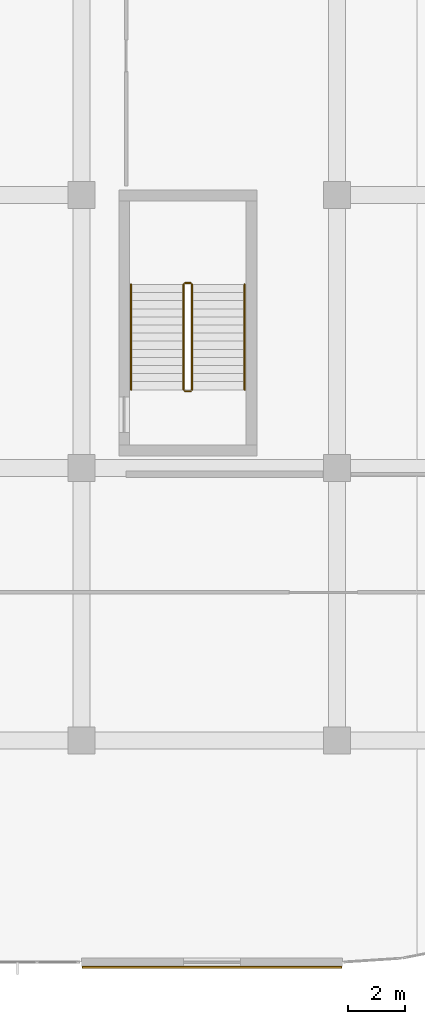
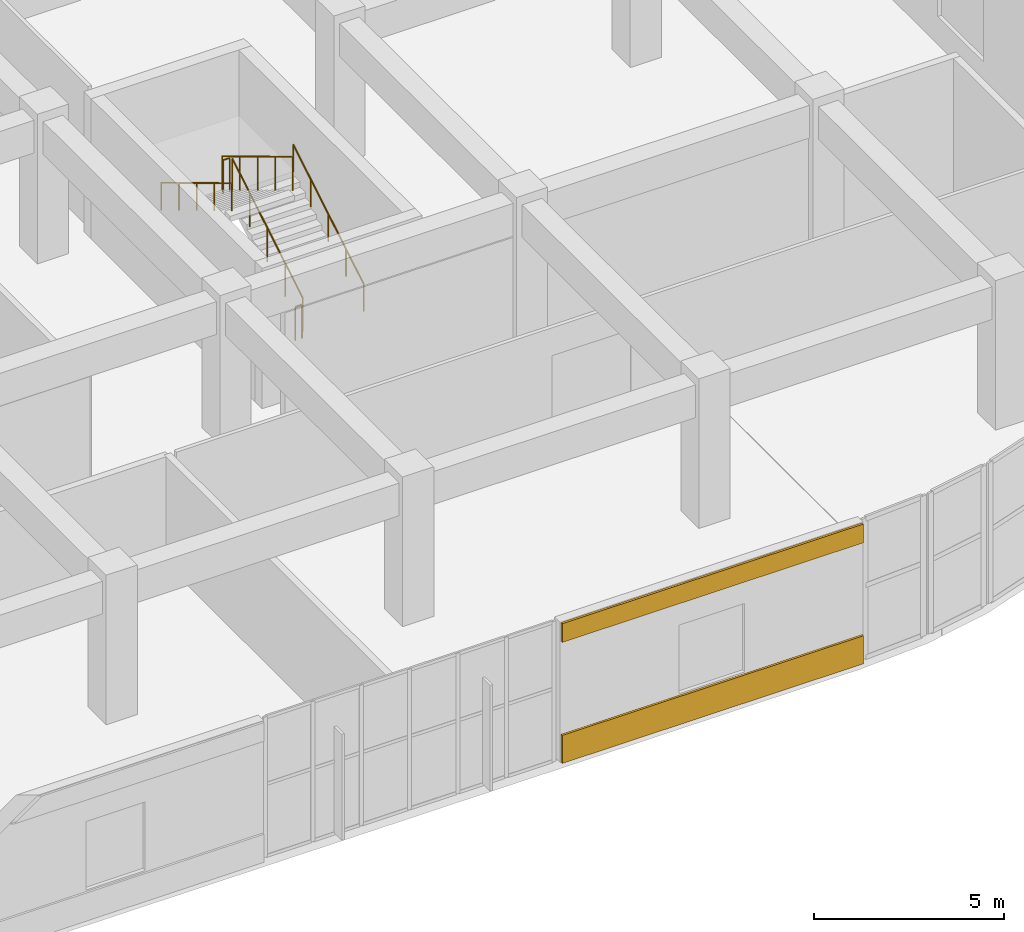
# One storey, part 75 of 86: 6 railings, 2 coverings.
"""IFC4 building model written with IfcOpenShell, lengths in metres."""

from ifc_helpers import new_model, si_unit, direction, frame, origin, origin_2d, place, context, subcontext, project, spatial, rectangle, circle, extrude, material, layer, layer_set, type_object, element, save


model = new_model("IFC4")

# Units and contexts
model_context = context("Model", 3, precision=1e-05, world=origin(), true_north=direction((0.0, 1.0)))
body_context = subcontext(model_context, "Body", "Model", "MODEL_VIEW")
ifc_project = project(units=[si_unit("LENGTHUNIT", "METRE"), si_unit("AREAUNIT", "SQUARE_METRE"), si_unit("VOLUMEUNIT", "CUBIC_METRE"), si_unit("PLANEANGLEUNIT", "RADIAN"), si_unit("MASSUNIT", "GRAM", prefix="KILO")], contexts=[model_context])

# Site, building, storey
site_placement = place(None, origin())
site = spatial("IfcSite", under=ifc_project, at=site_placement, CompositionType="ELEMENT")
building_placement = place(site_placement, origin())
building = spatial("IfcBuilding", under=site, at=building_placement, Name="Cendralis Terraced Arcade", CompositionType="ELEMENT")
storey_placement = place(building_placement, frame((0.0, 0.0, 5.39990234375)))
storey = spatial("IfcBuildingStorey", under=building, at=storey_placement, Name="L01", CompositionType="ELEMENT", Elevation=5.39990234375)

# Coverings
ifc_material_1 = material(Name="Precast concrete f'c 40 MPa", Category="concrete")
ifc_layer = layer(ifc_material_1, 0.06494140625, Name="COV-CLAD-GRC-65")
ifc_layer_set = layer_set([ifc_layer], Name="Precast concrete f'c 40 MPa")
covering_type = type_object("IfcCoveringType", Name="COV-CLAD-GRC-65", PredefinedType="CLADDING", material=ifc_layer_set)
covering_1_placement = place(storey_placement, frame((116.800048828125, 1.625, 0.000244140625), z_axis=(0.0, 0.0, 1.0), x_axis=(-1.0, 0.0, 0.0)))
element("IfcCovering", 1, at=covering_1_placement, inside=storey, type_object=covering_type, Name="Banded Precast Stone Spandrel Cladding L01-171", PredefinedType="CLADDING", context=body_context, shape_type="SweptSolid", body=[
    extrude(rectangle(XDim=9.139892578125, YDim=0.06494140625, at=origin_2d()), origin(), (0.0, 0.0, 1.0), 0.89990234375),
])
covering_2_placement = place(storey_placement, frame((116.800048828125, 1.625, 3.885009765625), z_axis=(0.0, 0.0, 1.0), x_axis=(-1.0, 0.0, 0.0)))
element("IfcCovering", 2, at=covering_2_placement, inside=storey, type_object=covering_type, Name="Banded Precast Stone Lintel Cladding L01-172", PredefinedType="CLADDING", context=body_context, shape_type="SweptSolid", body=[
    extrude(rectangle(XDim=9.139892578125, YDim=0.06494140625, at=origin_2d()), origin(), (0.0, 0.0, 1.0), 0.60009765625),
])

# Railings
ifc_material_2 = material(Name="Brushed stainless steel AISI 316", Category="steel")
railing_type_1 = type_object("IfcRailingType", Name="RL-STAIR-GUARD-1100", PredefinedType="GUARDRAIL", material=ifc_material_2)
railing_1_placement = place(storey_placement, frame((116.10009765625, 21.949951171875, 0.171630859375)))
element("IfcRailing", 3, at=railing_1_placement, inside=storey, type_object=railing_type_1, Name="L01 ST-09 stair guard 1", PredefinedType="GUARDRAIL", context=body_context, shape_type="SweptSolid", body=[
    extrude(circle(Radius=0.02392578125, at=origin_2d()), frame((0.0, 0.0, 1.076171875), z_axis=(0.0, 0.856934400257, 0.515425487977), x_axis=(-1.0, 0.0, 0.0)), (0.0, 0.0, 1.0), 4.32373046875),
    extrude(circle(Radius=0.02099609375, at=origin_2d()), origin(), (0.0, 0.0, 1.0), 1.052001953125),
    extrude(circle(Radius=0.02099609375, at=origin_2d()), frame((0.0, 0.92626953125, 0.55712890625)), (0.0, 0.0, 1.0), 1.052001953125),
    extrude(circle(Radius=0.02099609375, at=origin_2d()), frame((0.0, 1.8525390625, 1.1142578125)), (0.0, 0.0, 1.0), 1.052001953125),
    extrude(circle(Radius=0.02099609375, at=origin_2d()), frame((0.0, 2.77880859375, 1.67138671875)), (0.0, 0.0, 1.0), 1.052001953125),
    extrude(circle(Radius=0.02099609375, at=origin_2d()), frame((0.0, 3.705078125, 2.228515625)), (0.0, 0.0, 1.0), 1.052001953125),
])
railing_2_placement = place(storey_placement, frame((116.050048828125, 25.705078125, 2.400146484375)))
element("IfcRailing", 4, at=railing_2_placement, inside=storey, type_object=railing_type_1, Name="L01 ST-09 stair guard 2", PredefinedType="GUARDRAIL", context=body_context, shape_type="SweptSolid", body=[
    extrude(circle(Radius=0.02392578125, at=origin_2d()), frame((0.0, 0.0, 1.076171875), z_axis=(-1.0, 0.0, 0.0), x_axis=(0.0, -1.0, 0.0)), (0.0, 0.0, 1.0), 0.199951171875),
    extrude(circle(Radius=0.02099609375, at=origin_2d()), origin(), (0.0, 0.0, 1.0), 1.052001953125),
    extrude(circle(Radius=0.02099609375, at=origin_2d()), frame((-0.199951171875, 0.0, 0.0)), (0.0, 0.0, 1.0), 1.052001953125),
])
railing_3_placement = place(storey_placement, frame((115.800048828125, 25.655029296875, 2.571533203125)))
element("IfcRailing", 5, at=railing_3_placement, inside=storey, type_object=railing_type_1, Name="L01 ST-09 stair guard 3", PredefinedType="GUARDRAIL", context=body_context, shape_type="SweptSolid", body=[
    extrude(circle(Radius=0.02392578125, at=origin_2d()), frame((0.0, 0.0, 1.076171875), z_axis=(0.0, -0.856934400257, 0.515425487977), x_axis=(1.0, 0.0, 0.0)), (0.0, 0.0, 1.0), 4.32373046875),
    extrude(circle(Radius=0.02099609375, at=origin_2d()), origin(), (0.0, 0.0, 1.0), 1.052001953125),
    extrude(circle(Radius=0.02099609375, at=origin_2d()), frame((0.0, -0.92626953125, 0.55712890625)), (0.0, 0.0, 1.0), 1.052001953125),
    extrude(circle(Radius=0.02099609375, at=origin_2d()), frame((0.0, -1.8525390625, 1.1142578125)), (0.0, 0.0, 1.0), 1.052001953125),
    extrude(circle(Radius=0.02099609375, at=origin_2d()), frame((0.0, -2.77880859375, 1.67138671875)), (0.0, 0.0, 1.0), 1.052001953125),
    extrude(circle(Radius=0.02099609375, at=origin_2d()), frame((0.0, -3.705078125, 2.228515625)), (0.0, 0.0, 1.0), 1.052001953125),
])
railing_4_placement = place(storey_placement, frame((116.050048828125, 21.89990234375, 0.0)))
element("IfcRailing", 6, at=railing_4_placement, inside=storey, type_object=railing_type_1, Name="L01 ST-09 stair guard 4", PredefinedType="GUARDRAIL", context=body_context, shape_type="SweptSolid", body=[
    extrude(circle(Radius=0.02392578125, at=origin_2d()), frame((0.0, 0.0, 1.076171875), z_axis=(-1.0, 0.0, 0.0), x_axis=(0.0, -1.0, 0.0)), (0.0, 0.0, 1.0), 0.199951171875),
    extrude(circle(Radius=0.02099609375, at=origin_2d()), origin(), (0.0, 0.0, 1.0), 1.052001953125),
    extrude(circle(Radius=0.02099609375, at=origin_2d()), frame((-0.199951171875, 0.0, 0.0)), (0.0, 0.0, 1.0), 1.052001953125),
])
railing_type_2 = type_object("IfcRailingType", Name="RL-STAIR-HAND-900", PredefinedType="HANDRAIL", material=ifc_material_2)
railing_5_placement = place(storey_placement, frame((117.949951171875, 21.949951171875, 0.171630859375)))
element("IfcRailing", 7, at=railing_5_placement, inside=storey, type_object=railing_type_2, Name="L01 ST-09 stair handrail 1", PredefinedType="HANDRAIL", context=body_context, shape_type="SweptSolid", body=[
    extrude(circle(Radius=0.02392578125, at=origin_2d()), frame((0.0, 0.0, 0.8759765625), z_axis=(0.0, 0.856934400257, 0.515425487977), x_axis=(-1.0, 0.0, 0.0)), (0.0, 0.0, 1.0), 4.32373046875),
    extrude(circle(Radius=0.02099609375, at=origin_2d()), origin(), (0.0, 0.0, 1.0), 0.851806640625),
    extrude(circle(Radius=0.02099609375, at=origin_2d()), frame((0.0, 0.92626953125, 0.55712890625)), (0.0, 0.0, 1.0), 0.851806640625),
    extrude(circle(Radius=0.02099609375, at=origin_2d()), frame((0.0, 1.8525390625, 1.1142578125)), (0.0, 0.0, 1.0), 0.851806640625),
    extrude(circle(Radius=0.02099609375, at=origin_2d()), frame((0.0, 2.77880859375, 1.67138671875)), (0.0, 0.0, 1.0), 0.851806640625),
    extrude(circle(Radius=0.02099609375, at=origin_2d()), frame((0.0, 3.705078125, 2.228515625)), (0.0, 0.0, 1.0), 0.851806640625),
])
railing_6_placement = place(storey_placement, frame((113.949951171875, 25.655029296875, 2.571533203125)))
element("IfcRailing", 8, at=railing_6_placement, inside=storey, type_object=railing_type_2, Name="L01 ST-09 stair handrail 2", PredefinedType="HANDRAIL", context=body_context, shape_type="SweptSolid", body=[
    extrude(circle(Radius=0.02392578125, at=origin_2d()), frame((0.0, 0.0, 0.8759765625), z_axis=(0.0, -0.856934400257, 0.515425487977), x_axis=(1.0, 0.0, 0.0)), (0.0, 0.0, 1.0), 4.32373046875),
    extrude(circle(Radius=0.02099609375, at=origin_2d()), origin(), (0.0, 0.0, 1.0), 0.851806640625),
    extrude(circle(Radius=0.02099609375, at=origin_2d()), frame((0.0, -0.92626953125, 0.55712890625)), (0.0, 0.0, 1.0), 0.851806640625),
    extrude(circle(Radius=0.02099609375, at=origin_2d()), frame((0.0, -1.8525390625, 1.1142578125)), (0.0, 0.0, 1.0), 0.851806640625),
    extrude(circle(Radius=0.02099609375, at=origin_2d()), frame((0.0, -2.77880859375, 1.67138671875)), (0.0, 0.0, 1.0), 0.851806640625),
    extrude(circle(Radius=0.02099609375, at=origin_2d()), frame((0.0, -3.705078125, 2.228515625)), (0.0, 0.0, 1.0), 0.851806640625),
])

save(model, "model.ifc")
